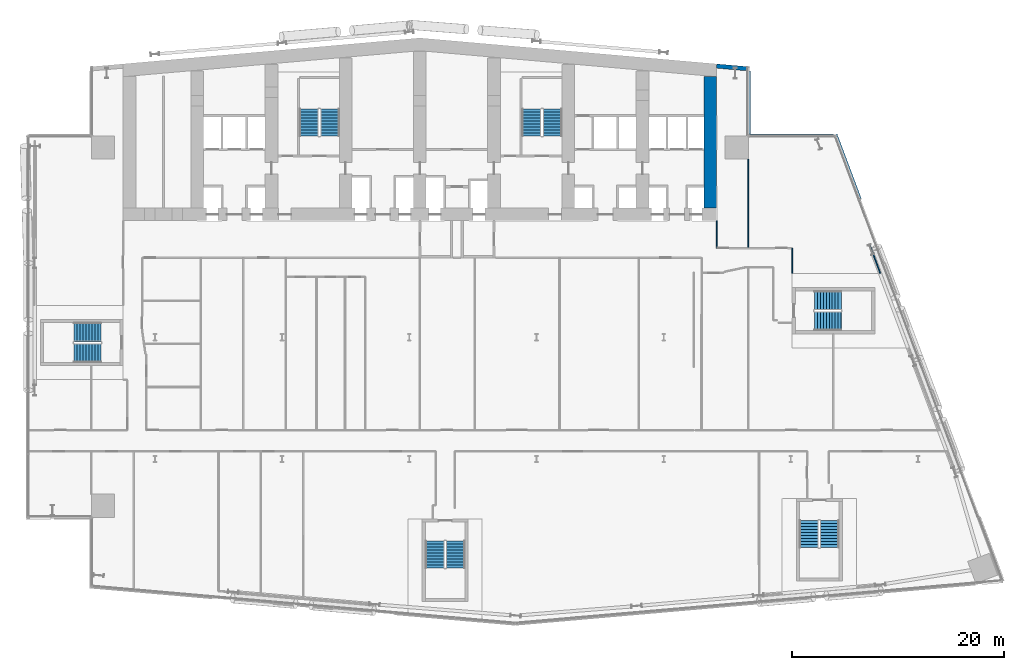
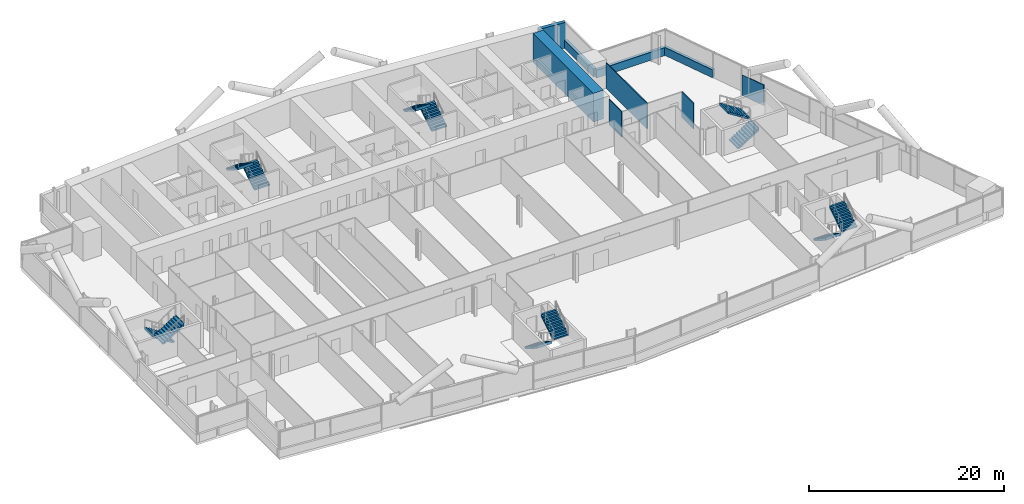
# One storey, part 20 of 27: 12 stair flights, 9 walls, 6 elements without a shape of their own.
"""IFC4 building model written with IfcOpenShell, lengths in metres."""

from ifc_helpers import new_model, si_unit, direction, frame, frame_2d, origin, place, context, subcontext, project, spatial, polyline, rectangle, outline, extrude, material, layer, layer_set, type_object, element, aggregate, save


model = new_model("IFC4")

# Units and contexts
model_context = context("Model", 3, precision=1e-05, world=origin(), true_north=direction((0.0, 1.0)))
body_context = subcontext(model_context, "Body", "Model", "MODEL_VIEW")
ifc_project = project(units=[si_unit("LENGTHUNIT", "METRE"), si_unit("AREAUNIT", "SQUARE_METRE"), si_unit("VOLUMEUNIT", "CUBIC_METRE"), si_unit("PLANEANGLEUNIT", "RADIAN"), si_unit("MASSUNIT", "GRAM", prefix="KILO")], contexts=[model_context])

# Site, building, storey
site_placement = place(None, origin())
site = spatial("IfcSite", under=ifc_project, at=site_placement, CompositionType="ELEMENT")
building_placement = place(site_placement, origin())
building = spatial("IfcBuilding", under=site, at=building_placement, Name="Wharfspan Tower", CompositionType="ELEMENT")
storey_placement = place(building_placement, frame((0.0, 0.0, 45.100098)))
storey = spatial("IfcBuildingStorey", under=building, at=storey_placement, Name="L07", CompositionType="ELEMENT", Elevation=45.100098)

# Walls
ifc_material_1 = material(Name="Gypsum board on steel studs", Category="steel")
ifc_layer_1 = layer(ifc_material_1, 0.100098)
ifc_layer_set_1 = layer_set([ifc_layer_1], Name="Gypsum board on steel studs")
wall_type_1 = type_object("IfcWallType", Name="Compartment wall 100 EI 60", PredefinedType="PARTITIONING", material=ifc_layer_set_1)
wall_1_placement = place(storey_placement, frame((65.0, 31.399902, 0.0), z_axis=(0.0, 0.0, 1.0), x_axis=(0.0, 1.0, 0.0)))
element("IfcWall", 1, at=wall_1_placement, inside=storey, type_object=wall_type_1, Name="Partition L07.w050", PredefinedType="PARTITIONING", context=body_context, shape_type="SweptSolid", body=[
    extrude(rectangle(XDim=2.580078, YDim=0.100098, at=frame_2d((1.290039, 0.0))), origin(), (0.0, 0.0, 1.0), 3.199951),
])
wall_2_placement = place(storey_placement, frame((68.0, 31.399902, 0.0), z_axis=(0.0, 0.0, 1.0), x_axis=(0.0, 1.0, 0.0)))
element("IfcWall", 2, at=wall_2_placement, inside=storey, type_object=wall_type_1, Name="Partition L07.w058", PredefinedType="PARTITIONING", context=body_context, shape_type="SweptSolid", body=[
    extrude(rectangle(XDim=8.390137, YDim=0.100098, at=frame_2d((4.195068, 0.0))), origin(), (0.0, 0.0, 1.0), 3.199951),
])
wall_3_placement = place(storey_placement, frame((72.125, 29.02002, 0.0), z_axis=(0.0, 0.0, 1.0), x_axis=(0.0, 1.0, 0.0)))
element("IfcWall", 3, at=wall_3_placement, inside=storey, type_object=wall_type_1, Name="Partition L07.w064", PredefinedType="PARTITIONING", context=body_context, shape_type="SweptSolid", body=[
    extrude(rectangle(XDim=2.379883, YDim=0.100098, at=frame_2d((1.189941, 0.0))), origin(), (0.0, 0.0, 1.0), 3.199951),
])
ifc_material_2 = material(Name="Concrete C70/85", Category="concrete")
ifc_layer_2 = layer(ifc_material_2, 1.199951)
ifc_layer_set_2 = layer_set([ifc_layer_2], Name="Concrete C70/85")
wall_type_2 = type_object("IfcWallType", Name="Core wall 1200 C70/85", PredefinedType="SHEAR", material=ifc_layer_set_2)
wall_4_placement = place(storey_placement, frame((64.399902, 35.199951, 0.0), z_axis=(0.0, 0.0, 1.0), x_axis=(0.0, 1.0, 0.0)))
element("IfcWall", 4, at=wall_4_placement, inside=storey, type_object=wall_type_2, Name="Core cross wall EW1 L07", PredefinedType="SHEAR", context=body_context, shape_type="SweptSolid", body=[
    extrude(rectangle(XDim=12.382812, YDim=1.199951, at=frame_2d((6.191406, 0.0))), origin(), (0.0, 0.0, 1.0), 3.599854),
])
ifc_layer_3 = layer(ifc_material_1, 0.100098)
ifc_layer_set_3 = layer_set([ifc_layer_3], Name="Gypsum board on steel studs")
wall_type_3 = type_object("IfcWallType", Name="Partition 100", PredefinedType="PARTITIONING", material=ifc_layer_set_3)
wall_5_placement = place(storey_placement, frame((80.44751, 29.02002, 0.0), z_axis=(0.0, 0.0, 1.0), x_axis=(-0.35129, 0.93627, 0.0)))
element("IfcWall", 5, at=wall_5_placement, inside=storey, type_object=wall_type_3, Name="Partition L07.w071", PredefinedType="PARTITIONING", context=body_context, shape_type="SweptSolid", body=[
    extrude(rectangle(XDim=2.910645, YDim=0.100098, at=frame_2d((1.455322, 0.0))), origin(), (0.0, 0.0, 1.0), 2.579834),
])
ifc_material_3 = material(Name="Concrete C40/50", Category="concrete")
ifc_layer_4 = layer(ifc_material_3, 0.350098)
ifc_layer_set_4 = layer_set([ifc_layer_4], Name="Concrete C40/50")
wall_type_4 = type_object("IfcWallType", Name="SPANDREL EXPOSED CONCRETE 350", PredefinedType="SOLIDWALL", material=ifc_layer_set_4)
wall_6_placement = place(storey_placement, frame((78.494141, 36.029785, 0.0), z_axis=(0.0, 0.0, 1.0), x_axis=(-0.351108, 0.936338, 0.0)))
element("IfcWall", 6, at=wall_6_placement, inside=storey, type_object=wall_type_4, Name="Spandrel upstand L07 E 4", PredefinedType="SOLIDWALL", context=body_context, shape_type="SweptSolid", body=[
    extrude(rectangle(XDim=6.50293, YDim=0.350098, at=frame_2d((3.251465, 0.0))), origin(), (0.0, 0.0, 1.0), 1.0),
])
wall_7_placement = place(storey_placement, frame((76.047119, 42.004883, 0.0), z_axis=(0.0, 0.0, 1.0), x_axis=(-1.0, 0.0, 0.0)))
element("IfcWall", 7, at=wall_7_placement, inside=storey, type_object=wall_type_4, Name="Spandrel upstand L07 NRE-H", PredefinedType="SOLIDWALL", context=body_context, shape_type="SweptSolid", body=[
    extrude(rectangle(XDim=8.047119, YDim=0.350098, at=frame_2d((4.023438, 0.0))), origin(), (0.0, 0.0, 1.0), 1.0),
])
wall_8_placement = place(storey_placement, frame((68.004883, 42.179932, 0.0), z_axis=(0.0, 0.0, 1.0), x_axis=(0.0, 1.0, 0.0)))
element("IfcWall", 8, at=wall_8_placement, inside=storey, type_object=wall_type_4, Name="Spandrel upstand L07 NRE-V", PredefinedType="SOLIDWALL", context=body_context, shape_type="SweptSolid", body=[
    extrude(rectangle(XDim=5.946533, YDim=0.350098, at=frame_2d((2.973145, 0.0))), origin(), (0.0, 0.0, 1.0), 1.0),
])
ifc_layer_5 = layer(ifc_material_3, 0.399902)
ifc_layer_set_5 = layer_set([ifc_layer_5], Name="Concrete C40/50")
wall_type_5 = type_object("IfcWallType", Name="WALL EXPOSED CONCRETE 400", PredefinedType="SOLIDWALL", material=ifc_layer_set_5)
wall_9_placement = place(storey_placement, frame((67.982666, 48.325684, 0.0), z_axis=(0.0, 0.0, 1.0), x_axis=(-0.996194, 0.087168, 0.0)))
element("IfcWall", 9, at=wall_9_placement, inside=storey, type_object=wall_type_5, Name="Rear wall N2", PredefinedType="SOLIDWALL", context=body_context, shape_type="SweptSolid", body=[
    extrude(rectangle(XDim=2.994141, YDim=0.399902, at=frame_2d((1.49707, 0.0))), origin(), (0.0, 0.0, 1.0), 3.199951),
])

# Stair, stair flights
stair_type = type_object("IfcStairType", Name="Half-turn stair 20 risers 180 mm", PredefinedType="HALF_TURN_STAIR", material=ifc_material_3)
stair_1_placement = place(storey_placement, origin())
stair_1 = element("IfcStair", 10, at=stair_1_placement, inside=storey, type_object=stair_type, Name="L07 stair ST1", PredefinedType="HALF_TURN_STAIR")
stair_flight_type = type_object("IfcStairFlightType", Name="Stair flight 20 risers 180 mm", PredefinedType="STRAIGHT", material=ifc_material_3)
stair_flight_1_placement = place(storey_placement, frame((28.5, 42.0, 0.0), z_axis=(0.0, 0.0, 1.0), x_axis=(0.0, 1.0, 0.0)))
stair_flight_1 = element("IfcStairFlight", 11, at=stair_flight_1_placement, type_object=stair_flight_type, Name="ST1 flight 1", NumberOfRisers=10, NumberOfTreads=9, PredefinedType="STRAIGHT", RiserHeight=0.18, TreadLength=0.28, context=body_context, shape_type="SweptSolid", body=[
    extrude(outline(polyline([(-0.011963, 0.0), (-0.011963, 0.179932), (0.0, 0.179932), (0.280029, 0.179932), (0.280029, 0.360107), (0.560059, 0.360107), (0.560059, 0.540039), (0.840088, 0.540039), (0.840088, 0.719971), (1.120117, 0.719971), (1.120117, 0.899902), (1.399902, 0.899902), (1.399902, 1.080078), (1.679932, 1.080078), (1.679932, 1.26001), (1.959961, 1.26001), (1.959961, 1.439941), (2.23999, 1.439941), (2.23999, 1.620117), (2.52002, 1.620117), (2.531982, 1.800049), (2.531982, 1.441895), (0.2771, 0.0), (-0.011963, 0.0)])), frame((0.0, 0.899902, 0.0), z_axis=(0.0, -1.0, 0.0), x_axis=(1.0, 0.0, 0.0)), (0.0, 0.0, 1.0), 0.899414),
    extrude(outline(polyline([(-0.011963, 0.0), (-0.011963, 0.179932), (0.0, 0.179932), (0.280029, 0.179932), (0.280029, 0.360107), (0.560059, 0.360107), (0.560059, 0.540039), (0.840088, 0.540039), (0.840088, 0.719971), (1.120117, 0.719971), (1.120117, 0.899902), (1.399902, 0.899902), (1.399902, 1.080078), (1.679932, 1.080078), (1.679932, 1.26001), (1.959961, 1.26001), (1.959961, 1.439941), (2.23999, 1.439941), (2.23999, 1.620117), (2.52002, 1.620117), (2.531982, 1.800049), (2.531982, 1.441895), (0.2771, 0.0), (-0.011963, 0.0)])), frame((0.0, -0.000488, 0.0), z_axis=(0.0, -1.0, 0.0), x_axis=(1.0, 0.0, 0.0)), (0.0, 0.0, 1.0), 0.899414),
])
stair_flight_2_placement = place(storey_placement, frame((26.550049, 44.52002, 1.799805), z_axis=(0.0, 0.0, 1.0), x_axis=(0.0, -1.0, 0.0)))
stair_flight_2 = element("IfcStairFlight", 12, at=stair_flight_2_placement, type_object=stair_flight_type, Name="ST1 flight 2", NumberOfRisers=10, NumberOfTreads=9, PredefinedType="STRAIGHT", RiserHeight=0.18, TreadLength=0.28, context=body_context, shape_type="SweptSolid", body=[
    extrude(outline(polyline([(-0.011963, 0.0), (-0.011963, 0.179932), (0.0, 0.179932), (0.280029, 0.179932), (0.280029, 0.360107), (0.560059, 0.360107), (0.560059, 0.540039), (0.840088, 0.540039), (0.840088, 0.719971), (1.120117, 0.719971), (1.120117, 0.899902), (1.399902, 0.899902), (1.399902, 1.080078), (1.679932, 1.080078), (1.679932, 1.26001), (1.959961, 1.26001), (1.959961, 1.439941), (2.23999, 1.439941), (2.23999, 1.620117), (2.52002, 1.620117), (2.531982, 1.800049), (2.531982, 1.441895), (0.2771, 0.0), (-0.011963, 0.0)])), frame((0.0, 0.899902, 0.0), z_axis=(0.0, -1.0, 0.0), x_axis=(1.0, 0.0, 0.0)), (0.0, 0.0, 1.0), 0.899414),
    extrude(outline(polyline([(-0.011963, 0.0), (-0.011963, 0.179932), (0.0, 0.179932), (0.280029, 0.179932), (0.280029, 0.360107), (0.560059, 0.360107), (0.560059, 0.540039), (0.840088, 0.540039), (0.840088, 0.719971), (1.120117, 0.719971), (1.120117, 0.899902), (1.399902, 0.899902), (1.399902, 1.080078), (1.679932, 1.080078), (1.679932, 1.26001), (1.959961, 1.26001), (1.959961, 1.439941), (2.23999, 1.439941), (2.23999, 1.620117), (2.52002, 1.620117), (2.531982, 1.800049), (2.531982, 1.441895), (0.2771, 0.0), (-0.011963, 0.0)])), frame((0.0, -0.000488, 0.0), z_axis=(0.0, -1.0, 0.0), x_axis=(1.0, 0.0, 0.0)), (0.0, 0.0, 1.0), 0.899414),
])
aggregate(stair_1, [stair_flight_1, stair_flight_2])

stair_2_placement = place(storey_placement, origin())
stair_2 = element("IfcStair", 13, at=stair_2_placement, inside=storey, type_object=stair_type, Name="L07 stair ST2", PredefinedType="HALF_TURN_STAIR")
stair_flight_3_placement = place(storey_placement, frame((49.5, 42.0, 0.0), z_axis=(0.0, 0.0, 1.0), x_axis=(0.0, 1.0, 0.0)))
stair_flight_3 = element("IfcStairFlight", 14, at=stair_flight_3_placement, type_object=stair_flight_type, Name="ST2 flight 1", NumberOfRisers=10, NumberOfTreads=9, PredefinedType="STRAIGHT", RiserHeight=0.18, TreadLength=0.28, context=body_context, shape_type="SweptSolid", body=[
    extrude(outline(polyline([(-0.011963, 0.0), (-0.011963, 0.179932), (0.0, 0.179932), (0.280029, 0.179932), (0.280029, 0.360107), (0.560059, 0.360107), (0.560059, 0.540039), (0.840088, 0.540039), (0.840088, 0.719971), (1.120117, 0.719971), (1.120117, 0.899902), (1.399902, 0.899902), (1.399902, 1.080078), (1.679932, 1.080078), (1.679932, 1.26001), (1.959961, 1.26001), (1.959961, 1.439941), (2.23999, 1.439941), (2.23999, 1.620117), (2.52002, 1.620117), (2.531982, 1.800049), (2.531982, 1.441895), (0.2771, 0.0), (-0.011963, 0.0)])), frame((0.0, 0.899902, 0.0), z_axis=(0.0, -1.0, 0.0), x_axis=(1.0, 0.0, 0.0)), (0.0, 0.0, 1.0), 0.899414),
    extrude(outline(polyline([(-0.011963, 0.0), (-0.011963, 0.179932), (0.0, 0.179932), (0.280029, 0.179932), (0.280029, 0.360107), (0.560059, 0.360107), (0.560059, 0.540039), (0.840088, 0.540039), (0.840088, 0.719971), (1.120117, 0.719971), (1.120117, 0.899902), (1.399902, 0.899902), (1.399902, 1.080078), (1.679932, 1.080078), (1.679932, 1.26001), (1.959961, 1.26001), (1.959961, 1.439941), (2.23999, 1.439941), (2.23999, 1.620117), (2.52002, 1.620117), (2.531982, 1.800049), (2.531982, 1.441895), (0.2771, 0.0), (-0.011963, 0.0)])), frame((0.0, -0.000488, 0.0), z_axis=(0.0, -1.0, 0.0), x_axis=(1.0, 0.0, 0.0)), (0.0, 0.0, 1.0), 0.899414),
])
stair_flight_4_placement = place(storey_placement, frame((47.550049, 44.52002, 1.799805), z_axis=(0.0, 0.0, 1.0), x_axis=(0.0, -1.0, 0.0)))
stair_flight_4 = element("IfcStairFlight", 15, at=stair_flight_4_placement, type_object=stair_flight_type, Name="ST2 flight 2", NumberOfRisers=10, NumberOfTreads=9, PredefinedType="STRAIGHT", RiserHeight=0.18, TreadLength=0.28, context=body_context, shape_type="SweptSolid", body=[
    extrude(outline(polyline([(-0.011963, 0.0), (-0.011963, 0.179932), (0.0, 0.179932), (0.280029, 0.179932), (0.280029, 0.360107), (0.560059, 0.360107), (0.560059, 0.540039), (0.840088, 0.540039), (0.840088, 0.719971), (1.120117, 0.719971), (1.120117, 0.899902), (1.399902, 0.899902), (1.399902, 1.080078), (1.679932, 1.080078), (1.679932, 1.26001), (1.959961, 1.26001), (1.959961, 1.439941), (2.23999, 1.439941), (2.23999, 1.620117), (2.52002, 1.620117), (2.531982, 1.800049), (2.531982, 1.441895), (0.2771, 0.0), (-0.011963, 0.0)])), frame((0.0, 0.899902, 0.0), z_axis=(0.0, -1.0, 0.0), x_axis=(1.0, 0.0, 0.0)), (0.0, 0.0, 1.0), 0.899414),
    extrude(outline(polyline([(-0.011963, 0.0), (-0.011963, 0.179932), (0.0, 0.179932), (0.280029, 0.179932), (0.280029, 0.360107), (0.560059, 0.360107), (0.560059, 0.540039), (0.840088, 0.540039), (0.840088, 0.719971), (1.120117, 0.719971), (1.120117, 0.899902), (1.399902, 0.899902), (1.399902, 1.080078), (1.679932, 1.080078), (1.679932, 1.26001), (1.959961, 1.26001), (1.959961, 1.439941), (2.23999, 1.439941), (2.23999, 1.620117), (2.52002, 1.620117), (2.531982, 1.800049), (2.531982, 1.441895), (0.2771, 0.0), (-0.011963, 0.0)])), frame((0.0, -0.000488, 0.0), z_axis=(0.0, -1.0, 0.0), x_axis=(1.0, 0.0, 0.0)), (0.0, 0.0, 1.0), 0.899414),
])
aggregate(stair_2, [stair_flight_3, stair_flight_4])

stair_3_placement = place(storey_placement, origin())
stair_3 = element("IfcStair", 16, at=stair_3_placement, inside=storey, type_object=stair_type, Name="L07 stair ST3", PredefinedType="HALF_TURN_STAIR")
stair_flight_5_placement = place(storey_placement, frame((6.899902, 23.475098, 0.0), z_axis=(0.0, 0.0, 1.0), x_axis=(-1.0, 0.0, 0.0)))
stair_flight_5 = element("IfcStairFlight", 17, at=stair_flight_5_placement, type_object=stair_flight_type, Name="ST3 flight 1", NumberOfRisers=10, NumberOfTreads=9, PredefinedType="STRAIGHT", RiserHeight=0.18, TreadLength=0.28, context=body_context, shape_type="SweptSolid", body=[
    extrude(outline(polyline([(-0.011963, 0.0), (-0.011963, 0.179932), (0.0, 0.179932), (0.280029, 0.179932), (0.280029, 0.360107), (0.560059, 0.360107), (0.560059, 0.540039), (0.840088, 0.540039), (0.840088, 0.719971), (1.120117, 0.719971), (1.120117, 0.899902), (1.399902, 0.899902), (1.399902, 1.080078), (1.679932, 1.080078), (1.679932, 1.26001), (1.959961, 1.26001), (1.959961, 1.439941), (2.23999, 1.439941), (2.23999, 1.620117), (2.52002, 1.620117), (2.531982, 1.800049), (2.531982, 1.441895), (0.2771, 0.0), (-0.011963, 0.0)])), frame((0.0, 0.899902, 0.0), z_axis=(0.0, -1.0, 0.0), x_axis=(1.0, 0.0, 0.0)), (0.0, 0.0, 1.0), 0.899414),
    extrude(outline(polyline([(-0.011963, 0.0), (-0.011963, 0.179932), (0.0, 0.179932), (0.280029, 0.179932), (0.280029, 0.360107), (0.560059, 0.360107), (0.560059, 0.540039), (0.840088, 0.540039), (0.840088, 0.719971), (1.120117, 0.719971), (1.120117, 0.899902), (1.399902, 0.899902), (1.399902, 1.080078), (1.679932, 1.080078), (1.679932, 1.26001), (1.959961, 1.26001), (1.959961, 1.439941), (2.23999, 1.439941), (2.23999, 1.620117), (2.52002, 1.620117), (2.531982, 1.800049), (2.531982, 1.441895), (0.2771, 0.0), (-0.011963, 0.0)])), frame((0.0, -0.000488, 0.0), z_axis=(0.0, -1.0, 0.0), x_axis=(1.0, 0.0, 0.0)), (0.0, 0.0, 1.0), 0.899414),
])
stair_flight_6_placement = place(storey_placement, frame((4.379883, 21.524902, 1.799805), z_axis=(0.0, 0.0, 1.0), x_axis=(1.0, 0.0, 0.0)))
stair_flight_6 = element("IfcStairFlight", 18, at=stair_flight_6_placement, type_object=stair_flight_type, Name="ST3 flight 2", NumberOfRisers=10, NumberOfTreads=9, PredefinedType="STRAIGHT", RiserHeight=0.18, TreadLength=0.28, context=body_context, shape_type="SweptSolid", body=[
    extrude(outline(polyline([(-0.011963, 0.0), (-0.011963, 0.179932), (0.0, 0.179932), (0.280029, 0.179932), (0.280029, 0.360107), (0.560059, 0.360107), (0.560059, 0.540039), (0.840088, 0.540039), (0.840088, 0.719971), (1.120117, 0.719971), (1.120117, 0.899902), (1.399902, 0.899902), (1.399902, 1.080078), (1.679932, 1.080078), (1.679932, 1.26001), (1.959961, 1.26001), (1.959961, 1.439941), (2.23999, 1.439941), (2.23999, 1.620117), (2.52002, 1.620117), (2.531982, 1.800049), (2.531982, 1.441895), (0.2771, 0.0), (-0.011963, 0.0)])), frame((0.0, 0.899902, 0.0), z_axis=(0.0, -1.0, 0.0), x_axis=(1.0, 0.0, 0.0)), (0.0, 0.0, 1.0), 0.899414),
    extrude(outline(polyline([(-0.011963, 0.0), (-0.011963, 0.179932), (0.0, 0.179932), (0.280029, 0.179932), (0.280029, 0.360107), (0.560059, 0.360107), (0.560059, 0.540039), (0.840088, 0.540039), (0.840088, 0.719971), (1.120117, 0.719971), (1.120117, 0.899902), (1.399902, 0.899902), (1.399902, 1.080078), (1.679932, 1.080078), (1.679932, 1.26001), (1.959961, 1.26001), (1.959961, 1.439941), (2.23999, 1.439941), (2.23999, 1.620117), (2.52002, 1.620117), (2.531982, 1.800049), (2.531982, 1.441895), (0.2771, 0.0), (-0.011963, 0.0)])), frame((0.0, -0.000488, 0.0), z_axis=(0.0, -1.0, 0.0), x_axis=(1.0, 0.0, 0.0)), (0.0, 0.0, 1.0), 0.899414),
])
aggregate(stair_3, [stair_flight_5, stair_flight_6])

stair_4_placement = place(storey_placement, origin())
stair_4 = element("IfcStair", 19, at=stair_4_placement, inside=storey, type_object=stair_type, Name="L07 stair ST4", PredefinedType="HALF_TURN_STAIR")
stair_flight_7_placement = place(storey_placement, frame((38.408203, 3.760498, 0.0), z_axis=(0.0, 0.0, 1.0), x_axis=(0.0, -1.0, 0.0)))
stair_flight_7 = element("IfcStairFlight", 20, at=stair_flight_7_placement, type_object=stair_flight_type, Name="ST4 flight 1", NumberOfRisers=10, NumberOfTreads=9, PredefinedType="STRAIGHT", RiserHeight=0.18, TreadLength=0.28, context=body_context, shape_type="SweptSolid", body=[
    extrude(outline(polyline([(-0.011963, 0.0), (-0.011963, 0.179932), (0.0, 0.179932), (0.280029, 0.179932), (0.280029, 0.360107), (0.560059, 0.360107), (0.560059, 0.540039), (0.840088, 0.540039), (0.840088, 0.719971), (1.120117, 0.719971), (1.120117, 0.899902), (1.399902, 0.899902), (1.399902, 1.080078), (1.679932, 1.080078), (1.679932, 1.26001), (1.959961, 1.26001), (1.959961, 1.439941), (2.23999, 1.439941), (2.23999, 1.620117), (2.52002, 1.620117), (2.531982, 1.800049), (2.531982, 1.441895), (0.2771, 0.0), (-0.011963, 0.0)])), frame((0.0, 0.899902, 0.0), z_axis=(0.0, -1.0, 0.0), x_axis=(1.0, 0.0, 0.0)), (0.0, 0.0, 1.0), 0.899414),
    extrude(outline(polyline([(-0.011963, 0.0), (-0.011963, 0.179932), (0.0, 0.179932), (0.280029, 0.179932), (0.280029, 0.360107), (0.560059, 0.360107), (0.560059, 0.540039), (0.840088, 0.540039), (0.840088, 0.719971), (1.120117, 0.719971), (1.120117, 0.899902), (1.399902, 0.899902), (1.399902, 1.080078), (1.679932, 1.080078), (1.679932, 1.26001), (1.959961, 1.26001), (1.959961, 1.439941), (2.23999, 1.439941), (2.23999, 1.620117), (2.52002, 1.620117), (2.531982, 1.800049), (2.531982, 1.441895), (0.2771, 0.0), (-0.011963, 0.0)])), frame((0.0, -0.000488, 0.0), z_axis=(0.0, -1.0, 0.0), x_axis=(1.0, 0.0, 0.0)), (0.0, 0.0, 1.0), 0.899414),
])
stair_flight_8_placement = place(storey_placement, frame((40.358398, 1.240723, 1.799805), z_axis=(0.0, 0.0, 1.0), x_axis=(0.0, 1.0, 0.0)))
stair_flight_8 = element("IfcStairFlight", 21, at=stair_flight_8_placement, type_object=stair_flight_type, Name="ST4 flight 2", NumberOfRisers=10, NumberOfTreads=9, PredefinedType="STRAIGHT", RiserHeight=0.18, TreadLength=0.28, context=body_context, shape_type="SweptSolid", body=[
    extrude(outline(polyline([(-0.011963, 0.0), (-0.011963, 0.179932), (0.0, 0.179932), (0.280029, 0.179932), (0.280029, 0.360107), (0.560059, 0.360107), (0.560059, 0.540039), (0.840088, 0.540039), (0.840088, 0.719971), (1.120117, 0.719971), (1.120117, 0.899902), (1.399902, 0.899902), (1.399902, 1.080078), (1.679932, 1.080078), (1.679932, 1.26001), (1.959961, 1.26001), (1.959961, 1.439941), (2.23999, 1.439941), (2.23999, 1.620117), (2.52002, 1.620117), (2.531982, 1.800049), (2.531982, 1.441895), (0.2771, 0.0), (-0.011963, 0.0)])), frame((0.0, 0.899902, 0.0), z_axis=(0.0, -1.0, 0.0), x_axis=(1.0, 0.0, 0.0)), (0.0, 0.0, 1.0), 0.899414),
    extrude(outline(polyline([(-0.011963, 0.0), (-0.011963, 0.179932), (0.0, 0.179932), (0.280029, 0.179932), (0.280029, 0.360107), (0.560059, 0.360107), (0.560059, 0.540039), (0.840088, 0.540039), (0.840088, 0.719971), (1.120117, 0.719971), (1.120117, 0.899902), (1.399902, 0.899902), (1.399902, 1.080078), (1.679932, 1.080078), (1.679932, 1.26001), (1.959961, 1.26001), (1.959961, 1.439941), (2.23999, 1.439941), (2.23999, 1.620117), (2.52002, 1.620117), (2.531982, 1.800049), (2.531982, 1.441895), (0.2771, 0.0), (-0.011963, 0.0)])), frame((0.0, -0.000488, 0.0), z_axis=(0.0, -1.0, 0.0), x_axis=(1.0, 0.0, 0.0)), (0.0, 0.0, 1.0), 0.899414),
])
aggregate(stair_4, [stair_flight_7, stair_flight_8])

stair_5_placement = place(storey_placement, origin())
stair_5 = element("IfcStair", 22, at=stair_5_placement, inside=storey, type_object=stair_type, Name="L07 stair ST5", PredefinedType="HALF_TURN_STAIR")
stair_flight_9_placement = place(storey_placement, frame((73.717529, 5.691895, 0.0), z_axis=(0.0, 0.0, 1.0), x_axis=(0.0, -1.0, 0.0)))
stair_flight_9 = element("IfcStairFlight", 23, at=stair_flight_9_placement, type_object=stair_flight_type, Name="ST5 flight 1", NumberOfRisers=10, NumberOfTreads=9, PredefinedType="STRAIGHT", RiserHeight=0.18, TreadLength=0.28, context=body_context, shape_type="SweptSolid", body=[
    extrude(outline(polyline([(-0.011963, 0.0), (-0.011963, 0.179932), (0.0, 0.179932), (0.280029, 0.179932), (0.280029, 0.360107), (0.560059, 0.360107), (0.560059, 0.540039), (0.840088, 0.540039), (0.840088, 0.719971), (1.120117, 0.719971), (1.120117, 0.899902), (1.399902, 0.899902), (1.399902, 1.080078), (1.679932, 1.080078), (1.679932, 1.26001), (1.959961, 1.26001), (1.959961, 1.439941), (2.23999, 1.439941), (2.23999, 1.620117), (2.52002, 1.620117), (2.531982, 1.800049), (2.531982, 1.441895), (0.2771, 0.0), (-0.011963, 0.0)])), frame((0.0, 0.899902, 0.0), z_axis=(0.0, -1.0, 0.0), x_axis=(1.0, 0.0, 0.0)), (0.0, 0.0, 1.0), 0.899414),
    extrude(outline(polyline([(-0.011963, 0.0), (-0.011963, 0.179932), (0.0, 0.179932), (0.280029, 0.179932), (0.280029, 0.360107), (0.560059, 0.360107), (0.560059, 0.540039), (0.840088, 0.540039), (0.840088, 0.719971), (1.120117, 0.719971), (1.120117, 0.899902), (1.399902, 0.899902), (1.399902, 1.080078), (1.679932, 1.080078), (1.679932, 1.26001), (1.959961, 1.26001), (1.959961, 1.439941), (2.23999, 1.439941), (2.23999, 1.620117), (2.52002, 1.620117), (2.531982, 1.800049), (2.531982, 1.441895), (0.2771, 0.0), (-0.011963, 0.0)])), frame((0.0, -0.000488, 0.0), z_axis=(0.0, -1.0, 0.0), x_axis=(1.0, 0.0, 0.0)), (0.0, 0.0, 1.0), 0.899414),
])
stair_flight_10_placement = place(storey_placement, frame((75.66748, 3.172119, 1.799805), z_axis=(0.0, 0.0, 1.0), x_axis=(0.0, 1.0, 0.0)))
stair_flight_10 = element("IfcStairFlight", 24, at=stair_flight_10_placement, type_object=stair_flight_type, Name="ST5 flight 2", NumberOfRisers=10, NumberOfTreads=9, PredefinedType="STRAIGHT", RiserHeight=0.18, TreadLength=0.28, context=body_context, shape_type="SweptSolid", body=[
    extrude(outline(polyline([(-0.011963, 0.0), (-0.011963, 0.179932), (0.0, 0.179932), (0.280029, 0.179932), (0.280029, 0.360107), (0.560059, 0.360107), (0.560059, 0.540039), (0.840088, 0.540039), (0.840088, 0.719971), (1.120117, 0.719971), (1.120117, 0.899902), (1.399902, 0.899902), (1.399902, 1.080078), (1.679932, 1.080078), (1.679932, 1.26001), (1.959961, 1.26001), (1.959961, 1.439941), (2.23999, 1.439941), (2.23999, 1.620117), (2.52002, 1.620117), (2.531982, 1.800049), (2.531982, 1.441895), (0.2771, 0.0), (-0.011963, 0.0)])), frame((0.0, 0.899902, 0.0), z_axis=(0.0, -1.0, 0.0), x_axis=(1.0, 0.0, 0.0)), (0.0, 0.0, 1.0), 0.899414),
    extrude(outline(polyline([(-0.011963, 0.0), (-0.011963, 0.179932), (0.0, 0.179932), (0.280029, 0.179932), (0.280029, 0.360107), (0.560059, 0.360107), (0.560059, 0.540039), (0.840088, 0.540039), (0.840088, 0.719971), (1.120117, 0.719971), (1.120117, 0.899902), (1.399902, 0.899902), (1.399902, 1.080078), (1.679932, 1.080078), (1.679932, 1.26001), (1.959961, 1.26001), (1.959961, 1.439941), (2.23999, 1.439941), (2.23999, 1.620117), (2.52002, 1.620117), (2.531982, 1.800049), (2.531982, 1.441895), (0.2771, 0.0), (-0.011963, 0.0)])), frame((0.0, -0.000488, 0.0), z_axis=(0.0, -1.0, 0.0), x_axis=(1.0, 0.0, 0.0)), (0.0, 0.0, 1.0), 0.899414),
])
aggregate(stair_5, [stair_flight_9, stair_flight_10])

stair_6_placement = place(storey_placement, origin())
stair_6 = element("IfcStair", 25, at=stair_6_placement, inside=storey, type_object=stair_type, Name="L07 stair ST6", PredefinedType="HALF_TURN_STAIR")
stair_flight_11_placement = place(storey_placement, frame((74.225098, 24.524902, 0.0), z_axis=(0.0, 0.0, 1.0), x_axis=(1.0, 0.0, 0.0)))
stair_flight_11 = element("IfcStairFlight", 26, at=stair_flight_11_placement, type_object=stair_flight_type, Name="ST6 flight 1", NumberOfRisers=10, NumberOfTreads=9, PredefinedType="STRAIGHT", RiserHeight=0.18, TreadLength=0.28, context=body_context, shape_type="SweptSolid", body=[
    extrude(outline(polyline([(-0.011963, 0.0), (-0.011963, 0.179932), (0.0, 0.179932), (0.280029, 0.179932), (0.280029, 0.360107), (0.560059, 0.360107), (0.560059, 0.540039), (0.840088, 0.540039), (0.840088, 0.719971), (1.120117, 0.719971), (1.120117, 0.899902), (1.399902, 0.899902), (1.399902, 1.080078), (1.679932, 1.080078), (1.679932, 1.26001), (1.959961, 1.26001), (1.959961, 1.439941), (2.23999, 1.439941), (2.23999, 1.620117), (2.52002, 1.620117), (2.531982, 1.800049), (2.531982, 1.441895), (0.2771, 0.0), (-0.011963, 0.0)])), frame((0.0, 0.899902, 0.0), z_axis=(0.0, -1.0, 0.0), x_axis=(1.0, 0.0, 0.0)), (0.0, 0.0, 1.0), 0.899414),
    extrude(outline(polyline([(-0.011963, 0.0), (-0.011963, 0.179932), (0.0, 0.179932), (0.280029, 0.179932), (0.280029, 0.360107), (0.560059, 0.360107), (0.560059, 0.540039), (0.840088, 0.540039), (0.840088, 0.719971), (1.120117, 0.719971), (1.120117, 0.899902), (1.399902, 0.899902), (1.399902, 1.080078), (1.679932, 1.080078), (1.679932, 1.26001), (1.959961, 1.26001), (1.959961, 1.439941), (2.23999, 1.439941), (2.23999, 1.620117), (2.52002, 1.620117), (2.531982, 1.800049), (2.531982, 1.441895), (0.2771, 0.0), (-0.011963, 0.0)])), frame((0.0, -0.000488, 0.0), z_axis=(0.0, -1.0, 0.0), x_axis=(1.0, 0.0, 0.0)), (0.0, 0.0, 1.0), 0.899414),
])
stair_flight_12_placement = place(storey_placement, frame((76.745117, 26.475098, 1.799805), z_axis=(0.0, 0.0, 1.0), x_axis=(-1.0, 0.0, 0.0)))
stair_flight_12 = element("IfcStairFlight", 27, at=stair_flight_12_placement, type_object=stair_flight_type, Name="ST6 flight 2", NumberOfRisers=10, NumberOfTreads=9, PredefinedType="STRAIGHT", RiserHeight=0.18, TreadLength=0.28, context=body_context, shape_type="SweptSolid", body=[
    extrude(outline(polyline([(-0.011963, 0.0), (-0.011963, 0.179932), (0.0, 0.179932), (0.280029, 0.179932), (0.280029, 0.360107), (0.560059, 0.360107), (0.560059, 0.540039), (0.840088, 0.540039), (0.840088, 0.719971), (1.120117, 0.719971), (1.120117, 0.899902), (1.399902, 0.899902), (1.399902, 1.080078), (1.679932, 1.080078), (1.679932, 1.26001), (1.959961, 1.26001), (1.959961, 1.439941), (2.23999, 1.439941), (2.23999, 1.620117), (2.52002, 1.620117), (2.531982, 1.800049), (2.531982, 1.441895), (0.2771, 0.0), (-0.011963, 0.0)])), frame((0.0, 0.899902, 0.0), z_axis=(0.0, -1.0, 0.0), x_axis=(1.0, 0.0, 0.0)), (0.0, 0.0, 1.0), 0.899414),
    extrude(outline(polyline([(-0.011963, 0.0), (-0.011963, 0.179932), (0.0, 0.179932), (0.280029, 0.179932), (0.280029, 0.360107), (0.560059, 0.360107), (0.560059, 0.540039), (0.840088, 0.540039), (0.840088, 0.719971), (1.120117, 0.719971), (1.120117, 0.899902), (1.399902, 0.899902), (1.399902, 1.080078), (1.679932, 1.080078), (1.679932, 1.26001), (1.959961, 1.26001), (1.959961, 1.439941), (2.23999, 1.439941), (2.23999, 1.620117), (2.52002, 1.620117), (2.531982, 1.800049), (2.531982, 1.441895), (0.2771, 0.0), (-0.011963, 0.0)])), frame((0.0, -0.000488, 0.0), z_axis=(0.0, -1.0, 0.0), x_axis=(1.0, 0.0, 0.0)), (0.0, 0.0, 1.0), 0.899414),
])
aggregate(stair_6, [stair_flight_11, stair_flight_12])

save(model, "model.ifc")
